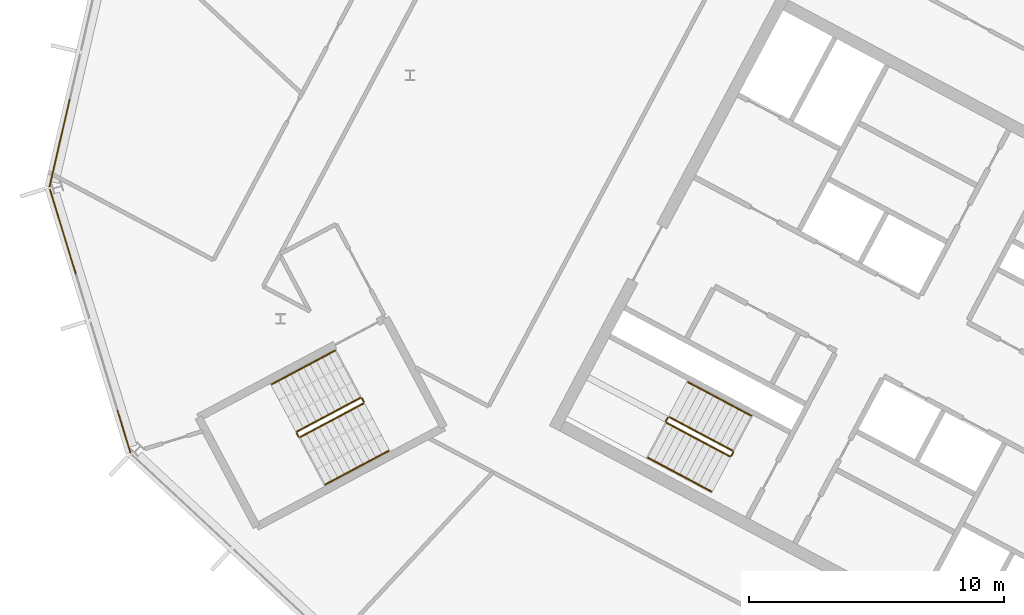
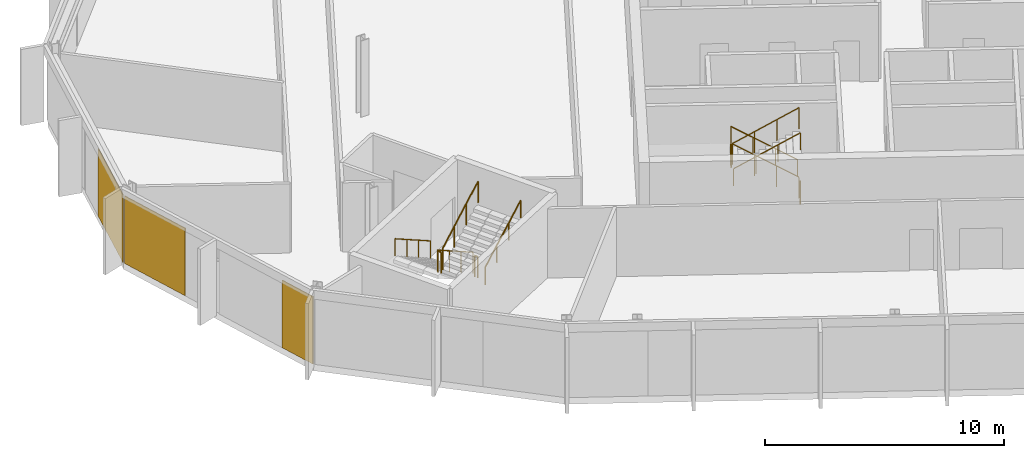
# One storey, part 20 of 25: 12 railings, 3 coverings, 2 elements without a shape of their own.
"""IFC4 building model written with IfcOpenShell, lengths in metres."""

from ifc_helpers import new_model, si_unit, direction, frame, origin, origin_2d, place, context, subcontext, project, spatial, polyline, rectangle, outline, extrude, material, layer, layer_set, type_object, element, aggregate, save


model = new_model("IFC4")

# Units and contexts
model_context = context("Model", 3, precision=1e-05, world=origin(), true_north=direction((0.0, 1.0)))
body_context = subcontext(model_context, "Body", "Model", "MODEL_VIEW")
ifc_project = project(units=[si_unit("LENGTHUNIT", "METRE"), si_unit("AREAUNIT", "SQUARE_METRE"), si_unit("VOLUMEUNIT", "CUBIC_METRE"), si_unit("PLANEANGLEUNIT", "RADIAN"), si_unit("MASSUNIT", "GRAM", prefix="KILO")], contexts=[model_context])

# Site, building, storey
site_placement = place(None, origin())
site = spatial("IfcSite", under=ifc_project, at=site_placement, CompositionType="ELEMENT")
building_placement = place(site_placement, origin())
building = spatial("IfcBuilding", under=site, at=building_placement, Name="Cormorant Relay Tower", CompositionType="ELEMENT")
storey_placement = place(building_placement, frame((0.0, 0.0, 273.60009765625)))
storey = spatial("IfcBuildingStorey", under=building, at=storey_placement, Name="L61", CompositionType="ELEMENT", Elevation=273.60009765625)

# Curtain wall, covering
ifc_material_1 = material(Name="Aluminium 6063-T6 anodised bronze", Category="aluminium")
ifc_layer_1 = layer(ifc_material_1, 0.199951171875)
ifc_layer_set_1 = layer_set([ifc_layer_1], Name="CW1 unitised bronze curtain wall with vertical fins")
curtain_wall_type = type_object("IfcCurtainWallType", Name="CW1 unitised bronze curtain wall with vertical fins", PredefinedType="NOTDEFINED", material=ifc_layer_set_1)
curtain_wall_1_placement = place(storey_placement, origin())
curtain_wall_1 = element("IfcCurtainWall", 1, at=curtain_wall_1_placement, inside=storey, type_object=curtain_wall_type, Name="CW1 curtain wall 13", PredefinedType="NOTDEFINED")
ifc_material_2 = material(Name="Pale bronze anodised aluminium insulated panel", Category="aluminium")
ifc_layer_2 = layer(ifc_material_2, 0.0400390625)
ifc_layer_set_2 = layer_set([ifc_layer_2], Name="CW1 pale bronze insulated panel 40")
covering_type = type_object("IfcCoveringType", Name="CW1 pale bronze insulated panel 40", PredefinedType="CLADDING", material=ifc_layer_set_2)
covering_1_placement = place(storey_placement, frame((-60.3388671875, 22.13232421875, 0.0), z_axis=(0.0, 0.0, 1.0), x_axis=(-0.224951054344, -0.974370064785, 0.0)))
covering_1 = element("IfcCovering", 2, at=covering_1_placement, type_object=covering_type, Name="CW1 panel S02", PredefinedType="CLADDING", context=body_context, shape_type="SweptSolid", body=[
    extrude(rectangle(XDim=3.560302734375, YDim=0.0400390625, at=origin_2d()), origin(), (0.0, 0.0, 1.0), 3.449951171875),
])
aggregate(curtain_wall_1, [covering_1])

# Curtain wall, coverings
curtain_wall_2_placement = place(storey_placement, origin())
curtain_wall_2 = element("IfcCurtainWall", 3, at=curtain_wall_2_placement, inside=storey, type_object=curtain_wall_type, Name="CW1 curtain wall 14", PredefinedType="NOTDEFINED")
covering_2_placement = place(storey_placement, frame((-60.20751953125, 18.6494140625, 0.0), z_axis=(0.0, 0.0, 1.0), x_axis=(0.292371704723, -0.956304755963, 0.0)))
covering_2 = element("IfcCovering", 4, at=covering_2_placement, type_object=covering_type, Name="CW1 panel S00", PredefinedType="CLADDING", context=body_context, shape_type="SweptSolid", body=[
    extrude(rectangle(XDim=3.485107421875, YDim=0.0400390625, at=origin_2d()), origin(), (0.0, 0.0, 1.0), 3.449951171875),
])
covering_3_placement = place(storey_placement, frame((-57.818115234375, 10.833740234375, 0.0), z_axis=(0.0, 0.0, 1.0), x_axis=(0.292371704723, -0.956304755963, 0.0)))
covering_3 = element("IfcCovering", 5, at=covering_3_placement, type_object=covering_type, Name="CW1 panel S03", PredefinedType="CLADDING", context=body_context, shape_type="SweptSolid", body=[
    extrude(rectangle(XDim=1.76025390625, YDim=0.0400390625, at=origin_2d()), origin(), (0.0, 0.0, 1.0), 3.449951171875),
])
aggregate(curtain_wall_2, [covering_2, covering_3])

# Railings
ifc_material_3 = material(Name="Steel ASTM A572 Grade 50 (Fy 345 MPa)", Category="steel")
railing_type_1 = type_object("IfcRailingType", Name="Stair guard 1100", PredefinedType="GUARDRAIL", material=ifc_material_3)
railing_1_placement = place(storey_placement, frame((-33.9921875, 10.08935546875, 0.17724609375)))
element("IfcRailing", 6, at=railing_1_placement, inside=storey, type_object=railing_type_1, Name="L61 A2 stair guard 1", PredefinedType="GUARDRAIL", context=body_context, shape_type="SweptSolid", body=[
    extrude(outline(polyline([(0.022216796875, 0.00927734375), (0.00927734375, 0.022216796875), (-0.00927734375, 0.022216796875), (-0.022216796875, 0.00927734375), (-0.022216796875, -0.00927734375), (-0.00927734375, -0.022216796875), (0.00927734375, -0.022216796875), (0.022216796875, -0.00927734375), (0.022216796875, 0.00927734375)])), frame((0.0, 0.0, 1.076171875), z_axis=(-0.746001213114, 0.396649272309, 0.534931345884), x_axis=(-0.469465464807, -0.882950835185, 0.0)), (0.0, 0.0, 1.0), 3.31396484375),
    extrude(outline(polyline([(0.019287109375, 0.008056640625), (0.008056640625, 0.019287109375), (-0.008056640625, 0.019287109375), (-0.019287109375, 0.008056640625), (-0.019287109375, -0.008056640625), (-0.008056640625, -0.019287109375), (0.008056640625, -0.019287109375), (0.019287109375, -0.008056640625), (0.019287109375, 0.008056640625)])), origin(), (0.0, 0.0, 1.0), 1.052001953125),
    extrude(outline(polyline([(0.019287109375, 0.008056640625), (0.008056640625, 0.019287109375), (-0.008056640625, 0.019287109375), (-0.019287109375, 0.008056640625), (-0.019287109375, -0.008056640625), (-0.008056640625, -0.019287109375), (0.008056640625, -0.019287109375), (0.019287109375, -0.008056640625), (0.019287109375, 0.008056640625)])), frame((-0.823974609375, 0.438232421875, 0.5908203125)), (0.0, 0.0, 1.0), 1.052001953125),
    extrude(outline(polyline([(0.019287109375, 0.008056640625), (0.008056640625, 0.019287109375), (-0.008056640625, 0.019287109375), (-0.019287109375, 0.008056640625), (-0.019287109375, -0.008056640625), (-0.008056640625, -0.019287109375), (0.008056640625, -0.019287109375), (0.019287109375, -0.008056640625), (0.019287109375, 0.008056640625)])), frame((-1.648193359375, 0.876220703125, 1.181884765625)), (0.0, 0.0, 1.0), 1.052001953125),
    extrude(outline(polyline([(0.019287109375, 0.008056640625), (0.008056640625, 0.019287109375), (-0.008056640625, 0.019287109375), (-0.019287109375, 0.008056640625), (-0.019287109375, -0.008056640625), (-0.008056640625, -0.019287109375), (0.008056640625, -0.019287109375), (0.019287109375, -0.008056640625), (0.019287109375, 0.008056640625)])), frame((-2.47216796875, 1.314453125, 1.772705078125)), (0.0, 0.0, 1.0), 1.052001953125),
])
railing_2_placement = place(storey_placement, frame((-36.531982421875, 11.38330078125, 1.949951171875)))
element("IfcRailing", 7, at=railing_2_placement, inside=storey, type_object=railing_type_1, Name="L61 A2 stair guard 2", PredefinedType="GUARDRAIL", context=body_context, shape_type="SweptSolid", body=[
    extrude(outline(polyline([(0.022216796875, 0.00927734375), (0.00927734375, 0.022216796875), (-0.00927734375, 0.022216796875), (-0.022216796875, 0.00927734375), (-0.022216796875, -0.00927734375), (-0.00927734375, -0.022216796875), (0.00927734375, -0.022216796875), (0.022216796875, -0.00927734375), (0.022216796875, 0.00927734375)])), frame((0.0, 0.0, 1.076171875), z_axis=(-0.469828648786, -0.882757634224, 0.0), x_axis=(0.882757634224, -0.469828648786, 0.0)), (0.0, 0.0, 1.0), 0.150146484375),
    extrude(outline(polyline([(0.019287109375, 0.008056640625), (0.008056640625, 0.019287109375), (-0.008056640625, 0.019287109375), (-0.019287109375, 0.008056640625), (-0.019287109375, -0.008056640625), (-0.008056640625, -0.019287109375), (0.008056640625, -0.019287109375), (0.019287109375, -0.008056640625), (0.019287109375, 0.008056640625)])), origin(), (0.0, 0.0, 1.0), 1.052001953125),
    extrude(outline(polyline([(0.019287109375, 0.008056640625), (0.008056640625, 0.019287109375), (-0.008056640625, 0.019287109375), (-0.019287109375, 0.008056640625), (-0.019287109375, -0.008056640625), (-0.008056640625, -0.019287109375), (0.008056640625, -0.019287109375), (0.019287109375, -0.008056640625), (0.019287109375, 0.008056640625)])), frame((-0.070556640625, -0.132568359375, 0.0)), (0.0, 0.0, 1.0), 1.052001953125),
])
railing_3_placement = place(storey_placement, frame((-36.581787109375, 11.18310546875, 2.127197265625)))
element("IfcRailing", 8, at=railing_3_placement, inside=storey, type_object=railing_type_1, Name="L61 A2 stair guard 3", PredefinedType="GUARDRAIL", context=body_context, shape_type="SweptSolid", body=[
    extrude(outline(polyline([(0.022216796875, 0.00927734375), (0.00927734375, 0.022216796875), (-0.00927734375, 0.022216796875), (-0.022216796875, 0.00927734375), (-0.022216796875, -0.00927734375), (-0.00927734375, -0.022216796875), (0.00927734375, -0.022216796875), (0.022216796875, -0.00927734375), (0.022216796875, 0.00927734375)])), frame((0.0, 0.0, 1.076171875), z_axis=(0.746001213114, -0.396649272309, 0.534931345884), x_axis=(0.469465464807, 0.882950835185, 0.0)), (0.0, 0.0, 1.0), 3.31396484375),
    extrude(outline(polyline([(0.019287109375, 0.008056640625), (0.008056640625, 0.019287109375), (-0.008056640625, 0.019287109375), (-0.019287109375, 0.008056640625), (-0.019287109375, -0.008056640625), (-0.008056640625, -0.019287109375), (0.008056640625, -0.019287109375), (0.019287109375, -0.008056640625), (0.019287109375, 0.008056640625)])), origin(), (0.0, 0.0, 1.0), 1.052001953125),
    extrude(outline(polyline([(0.019287109375, 0.008056640625), (0.008056640625, 0.019287109375), (-0.008056640625, 0.019287109375), (-0.019287109375, 0.008056640625), (-0.019287109375, -0.008056640625), (-0.008056640625, -0.019287109375), (0.008056640625, -0.019287109375), (0.019287109375, -0.008056640625), (0.019287109375, 0.008056640625)])), frame((0.823974609375, -0.438232421875, 0.5908203125)), (0.0, 0.0, 1.0), 1.052001953125),
    extrude(outline(polyline([(0.019287109375, 0.008056640625), (0.008056640625, 0.019287109375), (-0.008056640625, 0.019287109375), (-0.019287109375, 0.008056640625), (-0.019287109375, -0.008056640625), (-0.008056640625, -0.019287109375), (0.008056640625, -0.019287109375), (0.019287109375, -0.008056640625), (0.019287109375, 0.008056640625)])), frame((1.648193359375, -0.876220703125, 1.181884765625)), (0.0, 0.0, 1.0), 1.052001953125),
    extrude(outline(polyline([(0.019287109375, 0.008056640625), (0.008056640625, 0.019287109375), (-0.008056640625, 0.019287109375), (-0.019287109375, 0.008056640625), (-0.019287109375, -0.008056640625), (-0.008056640625, -0.019287109375), (0.008056640625, -0.019287109375), (0.019287109375, -0.008056640625), (0.019287109375, 0.008056640625)])), frame((2.47216796875, -1.314453125, 1.772705078125)), (0.0, 0.0, 1.0), 1.052001953125),
])
railing_4_placement = place(storey_placement, frame((-33.971435546875, 10.021728515625, 0.0)))
element("IfcRailing", 9, at=railing_4_placement, inside=storey, type_object=railing_type_1, Name="L61 A2 stair guard 4", PredefinedType="GUARDRAIL", context=body_context, shape_type="SweptSolid", body=[
    extrude(outline(polyline([(0.022216796875, 0.00927734375), (0.00927734375, 0.022216796875), (-0.00927734375, 0.022216796875), (-0.022216796875, 0.00927734375), (-0.022216796875, -0.00927734375), (-0.00927734375, -0.022216796875), (0.00927734375, -0.022216796875), (0.022216796875, -0.00927734375), (0.022216796875, 0.00927734375)])), frame((0.0, 0.0, 1.076171875), z_axis=(-0.470503732759, -0.882398003998, 0.0), x_axis=(0.882398003998, -0.470503732759, 0.0)), (0.0, 0.0, 1.0), 0.14990234375),
    extrude(outline(polyline([(0.019287109375, 0.008056640625), (0.008056640625, 0.019287109375), (-0.008056640625, 0.019287109375), (-0.019287109375, 0.008056640625), (-0.019287109375, -0.008056640625), (-0.008056640625, -0.019287109375), (0.008056640625, -0.019287109375), (0.019287109375, -0.008056640625), (0.019287109375, 0.008056640625)])), origin(), (0.0, 0.0, 1.0), 1.052001953125),
    extrude(outline(polyline([(0.019287109375, 0.008056640625), (0.008056640625, 0.019287109375), (-0.008056640625, 0.019287109375), (-0.019287109375, 0.008056640625), (-0.019287109375, -0.008056640625), (-0.008056640625, -0.019287109375), (0.008056640625, -0.019287109375), (0.019287109375, -0.008056640625), (0.019287109375, 0.008056640625)])), frame((-0.070556640625, -0.13232421875, 0.0)), (0.0, 0.0, 1.0), 1.052001953125),
])
railing_5_placement = place(storey_placement, frame((-48.5693359375, 12.155517578125, 0.17724609375)))
element("IfcRailing", 10, at=railing_5_placement, inside=storey, type_object=railing_type_1, Name="L61 RP1 stair guard 1", PredefinedType="GUARDRAIL", context=body_context, shape_type="SweptSolid", body=[
    extrude(outline(polyline([(0.022216796875, 0.00927734375), (0.00927734375, 0.022216796875), (-0.00927734375, 0.022216796875), (-0.022216796875, 0.00927734375), (-0.022216796875, -0.00927734375), (-0.00927734375, -0.022216796875), (0.00927734375, -0.022216796875), (0.022216796875, -0.00927734375), (0.022216796875, 0.00927734375)])), frame((0.0, 0.0, 1.076171875), z_axis=(-0.746012083385, -0.396689549623, 0.534886317514), x_axis=(0.469497295046, -0.882933910293, 0.0)), (0.0, 0.0, 1.0), 3.314208984375),
    extrude(outline(polyline([(0.019287109375, 0.008056640625), (0.008056640625, 0.019287109375), (-0.008056640625, 0.019287109375), (-0.019287109375, 0.008056640625), (-0.019287109375, -0.008056640625), (-0.008056640625, -0.019287109375), (0.008056640625, -0.019287109375), (0.019287109375, -0.008056640625), (0.019287109375, 0.008056640625)])), origin(), (0.0, 0.0, 1.0), 1.052001953125),
    extrude(outline(polyline([(0.019287109375, 0.008056640625), (0.008056640625, 0.019287109375), (-0.008056640625, 0.019287109375), (-0.019287109375, 0.008056640625), (-0.019287109375, -0.008056640625), (-0.008056640625, -0.019287109375), (0.008056640625, -0.019287109375), (0.019287109375, -0.008056640625), (0.019287109375, 0.008056640625)])), frame((-0.82421875, -0.438232421875, 0.5908203125)), (0.0, 0.0, 1.0), 1.052001953125),
    extrude(outline(polyline([(0.019287109375, 0.008056640625), (0.008056640625, 0.019287109375), (-0.008056640625, 0.019287109375), (-0.019287109375, 0.008056640625), (-0.019287109375, -0.008056640625), (-0.008056640625, -0.019287109375), (0.008056640625, -0.019287109375), (0.019287109375, -0.008056640625), (0.019287109375, 0.008056640625)])), frame((-1.648193359375, -0.87646484375, 1.181884765625)), (0.0, 0.0, 1.0), 1.052001953125),
    extrude(outline(polyline([(0.019287109375, 0.008056640625), (0.008056640625, 0.019287109375), (-0.008056640625, 0.019287109375), (-0.019287109375, 0.008056640625), (-0.019287109375, -0.008056640625), (-0.008056640625, -0.019287109375), (0.008056640625, -0.019287109375), (0.019287109375, -0.008056640625), (0.019287109375, 0.008056640625)])), frame((-2.472412109375, -1.314697265625, 1.772705078125)), (0.0, 0.0, 1.0), 1.052001953125),
])
railing_6_placement = place(storey_placement, frame((-51.062255859375, 10.773193359375, 1.949951171875)))
element("IfcRailing", 11, at=railing_6_placement, inside=storey, type_object=railing_type_1, Name="L61 RP1 stair guard 2", PredefinedType="GUARDRAIL", context=body_context, shape_type="SweptSolid", body=[
    extrude(outline(polyline([(0.022216796875, 0.00927734375), (0.00927734375, 0.022216796875), (-0.00927734375, 0.022216796875), (-0.022216796875, 0.00927734375), (-0.022216796875, -0.00927734375), (-0.00927734375, -0.022216796875), (0.00927734375, -0.022216796875), (0.022216796875, -0.00927734375), (0.022216796875, 0.00927734375)])), frame((0.0, 0.0, 1.076171875), z_axis=(0.469234640946, -0.883073525669, 0.0), x_axis=(0.883073525669, 0.469234640946, 0.0)), (0.0, 0.0, 1.0), 0.14990234375),
    extrude(outline(polyline([(0.019287109375, 0.008056640625), (0.008056640625, 0.019287109375), (-0.008056640625, 0.019287109375), (-0.019287109375, 0.008056640625), (-0.019287109375, -0.008056640625), (-0.008056640625, -0.019287109375), (0.008056640625, -0.019287109375), (0.019287109375, -0.008056640625), (0.019287109375, 0.008056640625)])), origin(), (0.0, 0.0, 1.0), 1.052001953125),
    extrude(outline(polyline([(0.019287109375, 0.008056640625), (0.008056640625, 0.019287109375), (-0.008056640625, 0.019287109375), (-0.019287109375, 0.008056640625), (-0.019287109375, -0.008056640625), (-0.008056640625, -0.019287109375), (0.008056640625, -0.019287109375), (0.019287109375, -0.008056640625), (0.019287109375, 0.008056640625)])), frame((0.0703125, -0.13232421875, 0.0)), (0.0, 0.0, 1.0), 1.052001953125),
])
railing_7_placement = place(storey_placement, frame((-50.92431640625, 10.6201171875, 2.127197265625)))
element("IfcRailing", 12, at=railing_7_placement, inside=storey, type_object=railing_type_1, Name="L61 RP1 stair guard 3", PredefinedType="GUARDRAIL", context=body_context, shape_type="SweptSolid", body=[
    extrude(outline(polyline([(0.022216796875, 0.00927734375), (0.00927734375, 0.022216796875), (-0.00927734375, 0.022216796875), (-0.022216796875, 0.00927734375), (-0.022216796875, -0.00927734375), (-0.00927734375, -0.022216796875), (0.00927734375, -0.022216796875), (0.022216796875, -0.00927734375), (0.022216796875, 0.00927734375)])), frame((0.0, 0.0, 1.076171875), z_axis=(0.746033882577, 0.396627473466, 0.534901947407), x_axis=(-0.469429322983, 0.882970050864, 0.0)), (0.0, 0.0, 1.0), 3.31396484375),
    extrude(outline(polyline([(0.019287109375, 0.008056640625), (0.008056640625, 0.019287109375), (-0.008056640625, 0.019287109375), (-0.019287109375, 0.008056640625), (-0.019287109375, -0.008056640625), (-0.008056640625, -0.019287109375), (0.008056640625, -0.019287109375), (0.019287109375, -0.008056640625), (0.019287109375, 0.008056640625)])), origin(), (0.0, 0.0, 1.0), 1.052001953125),
    extrude(outline(polyline([(0.019287109375, 0.008056640625), (0.008056640625, 0.019287109375), (-0.008056640625, 0.019287109375), (-0.019287109375, 0.008056640625), (-0.019287109375, -0.008056640625), (-0.008056640625, -0.019287109375), (0.008056640625, -0.019287109375), (0.019287109375, -0.008056640625), (0.019287109375, 0.008056640625)])), frame((0.82421875, 0.438232421875, 0.5908203125)), (0.0, 0.0, 1.0), 1.052001953125),
    extrude(outline(polyline([(0.019287109375, 0.008056640625), (0.008056640625, 0.019287109375), (-0.008056640625, 0.019287109375), (-0.019287109375, 0.008056640625), (-0.019287109375, -0.008056640625), (-0.008056640625, -0.019287109375), (0.008056640625, -0.019287109375), (0.019287109375, -0.008056640625), (0.019287109375, 0.008056640625)])), frame((1.648193359375, 0.876220703125, 1.181884765625)), (0.0, 0.0, 1.0), 1.052001953125),
    extrude(outline(polyline([(0.019287109375, 0.008056640625), (0.008056640625, 0.019287109375), (-0.008056640625, 0.019287109375), (-0.019287109375, 0.008056640625), (-0.019287109375, -0.008056640625), (-0.008056640625, -0.019287109375), (0.008056640625, -0.019287109375), (0.019287109375, -0.008056640625), (0.019287109375, 0.008056640625)])), frame((2.472412109375, 1.314453125, 1.772705078125)), (0.0, 0.0, 1.0), 1.052001953125),
])
railing_8_placement = place(storey_placement, frame((-48.501708984375, 12.134765625, 0.0)))
element("IfcRailing", 13, at=railing_8_placement, inside=storey, type_object=railing_type_1, Name="L61 RP1 stair guard 4", PredefinedType="GUARDRAIL", context=body_context, shape_type="SweptSolid", body=[
    extrude(outline(polyline([(0.022216796875, 0.00927734375), (0.00927734375, 0.022216796875), (-0.00927734375, 0.022216796875), (-0.022216796875, 0.00927734375), (-0.022216796875, -0.00927734375), (-0.00927734375, -0.022216796875), (0.00927734375, -0.022216796875), (0.022216796875, -0.00927734375), (0.022216796875, 0.00927734375)])), frame((0.0, 0.0, 1.076171875), z_axis=(0.46856034887, -0.8834314911, 0.0), x_axis=(0.8834314911, 0.46856034887, 0.0)), (0.0, 0.0, 1.0), 0.150146484375),
    extrude(outline(polyline([(0.019287109375, 0.008056640625), (0.008056640625, 0.019287109375), (-0.008056640625, 0.019287109375), (-0.019287109375, 0.008056640625), (-0.019287109375, -0.008056640625), (-0.008056640625, -0.019287109375), (0.008056640625, -0.019287109375), (0.019287109375, -0.008056640625), (0.019287109375, 0.008056640625)])), origin(), (0.0, 0.0, 1.0), 1.052001953125),
    extrude(outline(polyline([(0.019287109375, 0.008056640625), (0.008056640625, 0.019287109375), (-0.008056640625, 0.019287109375), (-0.019287109375, 0.008056640625), (-0.019287109375, -0.008056640625), (-0.008056640625, -0.019287109375), (0.008056640625, -0.019287109375), (0.019287109375, -0.008056640625), (0.019287109375, 0.008056640625)])), frame((0.0703125, -0.132568359375, 0.0)), (0.0, 0.0, 1.0), 1.052001953125),
])
ifc_material_4 = material(Name="Steel ASTM A572 Grade 50 (Fy 345 MPa)", Category="steel")
railing_type_2 = type_object("IfcRailingType", Name="Stair handrail 900", PredefinedType="HANDRAIL", material=ifc_material_4)
railing_9_placement = place(storey_placement, frame((-33.264404296875, 11.4580078125, 0.17724609375)))
element("IfcRailing", 14, at=railing_9_placement, inside=storey, type_object=railing_type_2, Name="L61 A2 stair handrail 1", PredefinedType="HANDRAIL", context=body_context, shape_type="SweptSolid", body=[
    extrude(outline(polyline([(0.022216796875, 0.00927734375), (0.00927734375, 0.022216796875), (-0.00927734375, 0.022216796875), (-0.022216796875, 0.00927734375), (-0.022216796875, -0.00927734375), (-0.00927734375, -0.022216796875), (0.00927734375, -0.022216796875), (0.022216796875, -0.00927734375), (0.022216796875, 0.00927734375)])), frame((0.0, 0.0, 0.8759765625), z_axis=(-0.746033882577, 0.396627473466, 0.534901947407), x_axis=(-0.469429322983, -0.882970050864, 0.0)), (0.0, 0.0, 1.0), 3.31396484375),
    extrude(outline(polyline([(0.019287109375, 0.008056640625), (0.008056640625, 0.019287109375), (-0.008056640625, 0.019287109375), (-0.019287109375, 0.008056640625), (-0.019287109375, -0.008056640625), (-0.008056640625, -0.019287109375), (0.008056640625, -0.019287109375), (0.019287109375, -0.008056640625), (0.019287109375, 0.008056640625)])), origin(), (0.0, 0.0, 1.0), 0.851806640625),
    extrude(outline(polyline([(0.019287109375, 0.008056640625), (0.008056640625, 0.019287109375), (-0.008056640625, 0.019287109375), (-0.019287109375, 0.008056640625), (-0.019287109375, -0.008056640625), (-0.008056640625, -0.019287109375), (0.008056640625, -0.019287109375), (0.019287109375, -0.008056640625), (0.019287109375, 0.008056640625)])), frame((-0.82421875, 0.438232421875, 0.5908203125)), (0.0, 0.0, 1.0), 0.851806640625),
    extrude(outline(polyline([(0.019287109375, 0.008056640625), (0.008056640625, 0.019287109375), (-0.008056640625, 0.019287109375), (-0.019287109375, 0.008056640625), (-0.019287109375, -0.008056640625), (-0.008056640625, -0.019287109375), (0.008056640625, -0.019287109375), (0.019287109375, -0.008056640625), (0.019287109375, 0.008056640625)])), frame((-1.648193359375, 0.876220703125, 1.181884765625)), (0.0, 0.0, 1.0), 0.851806640625),
    extrude(outline(polyline([(0.019287109375, 0.008056640625), (0.008056640625, 0.019287109375), (-0.008056640625, 0.019287109375), (-0.019287109375, 0.008056640625), (-0.019287109375, -0.008056640625), (-0.008056640625, -0.019287109375), (0.008056640625, -0.019287109375), (0.019287109375, -0.008056640625), (0.019287109375, 0.008056640625)])), frame((-2.472412109375, 1.314453125, 1.772705078125)), (0.0, 0.0, 1.0), 0.851806640625),
])
railing_10_placement = place(storey_placement, frame((-37.3095703125, 9.814453125, 2.127197265625)))
element("IfcRailing", 15, at=railing_10_placement, inside=storey, type_object=railing_type_2, Name="L61 A2 stair handrail 2", PredefinedType="HANDRAIL", context=body_context, shape_type="SweptSolid", body=[
    extrude(outline(polyline([(0.022216796875, 0.00927734375), (0.00927734375, 0.022216796875), (-0.00927734375, 0.022216796875), (-0.022216796875, 0.00927734375), (-0.022216796875, -0.00927734375), (-0.00927734375, -0.022216796875), (0.00927734375, -0.022216796875), (0.022216796875, -0.00927734375), (0.022216796875, 0.00927734375)])), frame((0.0, 0.0, 0.8759765625), z_axis=(0.746033882577, -0.396627473466, 0.534901947407), x_axis=(0.469429322983, 0.882970050864, 0.0)), (0.0, 0.0, 1.0), 3.31396484375),
    extrude(outline(polyline([(0.019287109375, 0.008056640625), (0.008056640625, 0.019287109375), (-0.008056640625, 0.019287109375), (-0.019287109375, 0.008056640625), (-0.019287109375, -0.008056640625), (-0.008056640625, -0.019287109375), (0.008056640625, -0.019287109375), (0.019287109375, -0.008056640625), (0.019287109375, 0.008056640625)])), origin(), (0.0, 0.0, 1.0), 0.851806640625),
    extrude(outline(polyline([(0.019287109375, 0.008056640625), (0.008056640625, 0.019287109375), (-0.008056640625, 0.019287109375), (-0.019287109375, 0.008056640625), (-0.019287109375, -0.008056640625), (-0.008056640625, -0.019287109375), (0.008056640625, -0.019287109375), (0.019287109375, -0.008056640625), (0.019287109375, 0.008056640625)])), frame((0.82421875, -0.438232421875, 0.5908203125)), (0.0, 0.0, 1.0), 0.851806640625),
    extrude(outline(polyline([(0.019287109375, 0.008056640625), (0.008056640625, 0.019287109375), (-0.008056640625, 0.019287109375), (-0.019287109375, 0.008056640625), (-0.019287109375, -0.008056640625), (-0.008056640625, -0.019287109375), (0.008056640625, -0.019287109375), (0.019287109375, -0.008056640625), (0.019287109375, 0.008056640625)])), frame((1.648193359375, -0.876220703125, 1.181884765625)), (0.0, 0.0, 1.0), 0.851806640625),
    extrude(outline(polyline([(0.019287109375, 0.008056640625), (0.008056640625, 0.019287109375), (-0.008056640625, 0.019287109375), (-0.019287109375, 0.008056640625), (-0.019287109375, -0.008056640625), (-0.008056640625, -0.019287109375), (0.008056640625, -0.019287109375), (0.019287109375, -0.008056640625), (0.019287109375, 0.008056640625)])), frame((2.472412109375, -1.314453125, 1.772705078125)), (0.0, 0.0, 1.0), 0.851806640625),
])
railing_11_placement = place(storey_placement, frame((-49.55517578125, 14.009521484375, 0.17724609375)))
element("IfcRailing", 16, at=railing_11_placement, inside=storey, type_object=railing_type_2, Name="L61 RP1 stair handrail 1", PredefinedType="HANDRAIL", context=body_context, shape_type="SweptSolid", body=[
    extrude(outline(polyline([(0.022216796875, 0.00927734375), (0.00927734375, 0.022216796875), (-0.00927734375, 0.022216796875), (-0.022216796875, 0.00927734375), (-0.022216796875, -0.00927734375), (-0.00927734375, -0.022216796875), (0.00927734375, -0.022216796875), (0.022216796875, -0.00927734375), (0.022216796875, 0.00927734375)])), frame((0.0, 0.0, 0.8759765625), z_axis=(-0.746033882577, -0.396627473466, 0.534901947407), x_axis=(0.469429322983, -0.882970050864, 0.0)), (0.0, 0.0, 1.0), 3.31396484375),
    extrude(outline(polyline([(0.019287109375, 0.008056640625), (0.008056640625, 0.019287109375), (-0.008056640625, 0.019287109375), (-0.019287109375, 0.008056640625), (-0.019287109375, -0.008056640625), (-0.008056640625, -0.019287109375), (0.008056640625, -0.019287109375), (0.019287109375, -0.008056640625), (0.019287109375, 0.008056640625)])), origin(), (0.0, 0.0, 1.0), 0.851806640625),
    extrude(outline(polyline([(0.019287109375, 0.008056640625), (0.008056640625, 0.019287109375), (-0.008056640625, 0.019287109375), (-0.019287109375, 0.008056640625), (-0.019287109375, -0.008056640625), (-0.008056640625, -0.019287109375), (0.008056640625, -0.019287109375), (0.019287109375, -0.008056640625), (0.019287109375, 0.008056640625)])), frame((-0.82421875, -0.438232421875, 0.5908203125)), (0.0, 0.0, 1.0), 0.851806640625),
    extrude(outline(polyline([(0.019287109375, 0.008056640625), (0.008056640625, 0.019287109375), (-0.008056640625, 0.019287109375), (-0.019287109375, 0.008056640625), (-0.019287109375, -0.008056640625), (-0.008056640625, -0.019287109375), (0.008056640625, -0.019287109375), (0.019287109375, -0.008056640625), (0.019287109375, 0.008056640625)])), frame((-1.648193359375, -0.876220703125, 1.181884765625)), (0.0, 0.0, 1.0), 0.851806640625),
    extrude(outline(polyline([(0.019287109375, 0.008056640625), (0.008056640625, 0.019287109375), (-0.008056640625, 0.019287109375), (-0.019287109375, 0.008056640625), (-0.019287109375, -0.008056640625), (-0.008056640625, -0.019287109375), (0.008056640625, -0.019287109375), (0.019287109375, -0.008056640625), (0.019287109375, 0.008056640625)])), frame((-2.472412109375, -1.314453125, 1.772705078125)), (0.0, 0.0, 1.0), 0.851806640625),
])
railing_12_placement = place(storey_placement, frame((-49.9384765625, 8.765869140625, 2.127197265625)))
element("IfcRailing", 17, at=railing_12_placement, inside=storey, type_object=railing_type_2, Name="L61 RP1 stair handrail 2", PredefinedType="HANDRAIL", context=body_context, shape_type="SweptSolid", body=[
    extrude(outline(polyline([(0.022216796875, 0.00927734375), (0.00927734375, 0.022216796875), (-0.00927734375, 0.022216796875), (-0.022216796875, 0.00927734375), (-0.022216796875, -0.00927734375), (-0.00927734375, -0.022216796875), (0.00927734375, -0.022216796875), (0.022216796875, -0.00927734375), (0.022216796875, 0.00927734375)])), frame((0.0, 0.0, 0.8759765625), z_axis=(0.746012083385, 0.396689549623, 0.534886317514), x_axis=(-0.469497295046, 0.882933910293, 0.0)), (0.0, 0.0, 1.0), 3.314208984375),
    extrude(outline(polyline([(0.019287109375, 0.008056640625), (0.008056640625, 0.019287109375), (-0.008056640625, 0.019287109375), (-0.019287109375, 0.008056640625), (-0.019287109375, -0.008056640625), (-0.008056640625, -0.019287109375), (0.008056640625, -0.019287109375), (0.019287109375, -0.008056640625), (0.019287109375, 0.008056640625)])), origin(), (0.0, 0.0, 1.0), 0.851806640625),
    extrude(outline(polyline([(0.019287109375, 0.008056640625), (0.008056640625, 0.019287109375), (-0.008056640625, 0.019287109375), (-0.019287109375, 0.008056640625), (-0.019287109375, -0.008056640625), (-0.008056640625, -0.019287109375), (0.008056640625, -0.019287109375), (0.019287109375, -0.008056640625), (0.019287109375, 0.008056640625)])), frame((0.82421875, 0.438232421875, 0.5908203125)), (0.0, 0.0, 1.0), 0.851806640625),
    extrude(outline(polyline([(0.019287109375, 0.008056640625), (0.008056640625, 0.019287109375), (-0.008056640625, 0.019287109375), (-0.019287109375, 0.008056640625), (-0.019287109375, -0.008056640625), (-0.008056640625, -0.019287109375), (0.008056640625, -0.019287109375), (0.019287109375, -0.008056640625), (0.019287109375, 0.008056640625)])), frame((1.648193359375, 0.87646484375, 1.181884765625)), (0.0, 0.0, 1.0), 0.851806640625),
    extrude(outline(polyline([(0.019287109375, 0.008056640625), (0.008056640625, 0.019287109375), (-0.008056640625, 0.019287109375), (-0.019287109375, 0.008056640625), (-0.019287109375, -0.008056640625), (-0.008056640625, -0.019287109375), (0.008056640625, -0.019287109375), (0.019287109375, -0.008056640625), (0.019287109375, 0.008056640625)])), frame((2.472412109375, 1.314697265625, 1.772705078125)), (0.0, 0.0, 1.0), 0.851806640625),
])

save(model, "model.ifc")
